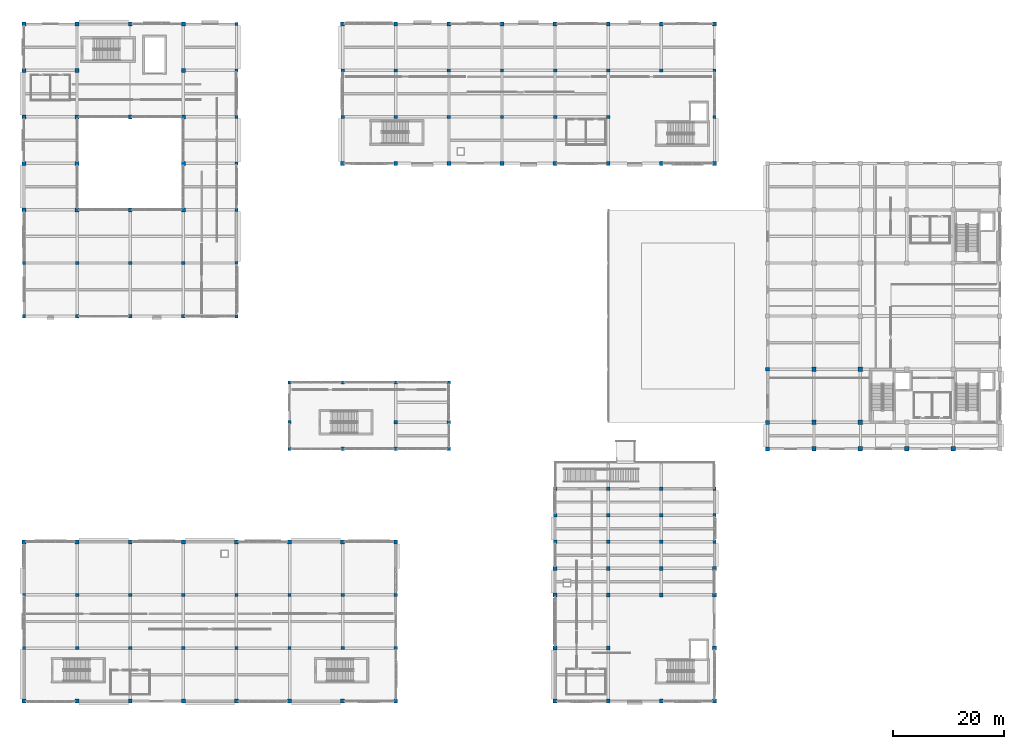
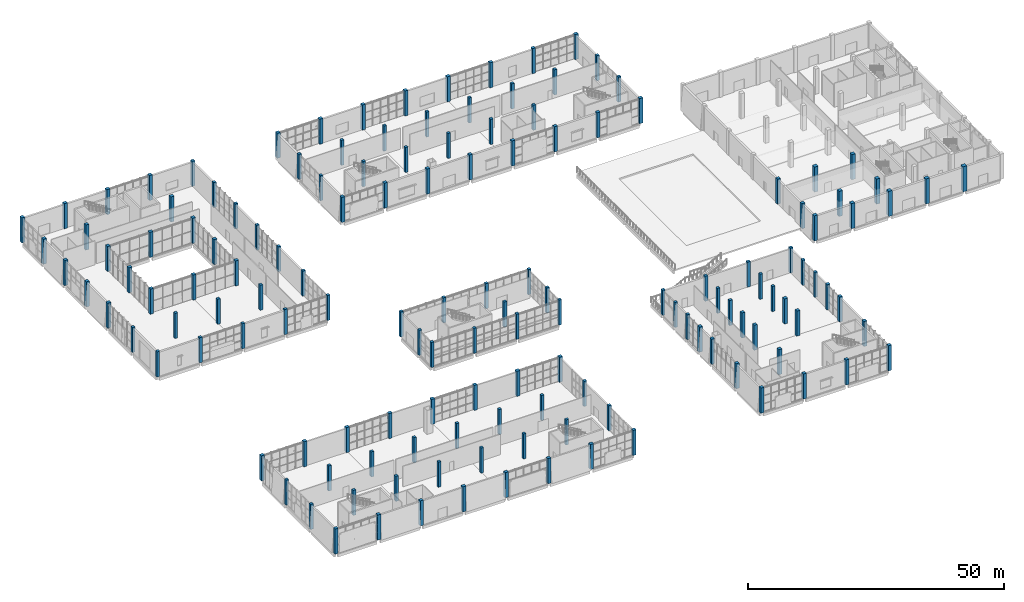
# One storey, part 1 of 84: 145 columns.
"""IFC4 building model written with IfcOpenShell, lengths in metres."""

from ifc_helpers import new_model, si_unit, direction, frame, origin, origin_2d, place, context, subcontext, project, spatial, rectangle, extrude, material, material_profile, profile_set, type_object, element, save


model = new_model("IFC4")

# Units and contexts
model_context = context("Model", 3, precision=1e-05, world=origin(), true_north=direction((0.0, 1.0)))
body_context = subcontext(model_context, "Body", "Model", "MODEL_VIEW")
ifc_project = project(units=[si_unit("LENGTHUNIT", "METRE"), si_unit("AREAUNIT", "SQUARE_METRE"), si_unit("VOLUMEUNIT", "CUBIC_METRE"), si_unit("PLANEANGLEUNIT", "RADIAN"), si_unit("MASSUNIT", "GRAM", prefix="KILO")], contexts=[model_context])

# Site, building, storey
site_placement = place(None, origin())
site = spatial("IfcSite", under=ifc_project, at=site_placement, CompositionType="ELEMENT")
building_placement = place(site_placement, origin())
building = spatial("IfcBuilding", under=site, at=building_placement, Name="Shalvenor Court Art Gallery", CompositionType="ELEMENT")
storey_placement = place(building_placement, origin())
storey = spatial("IfcBuildingStorey", under=building, at=storey_placement, Name="L00", CompositionType="ELEMENT", Elevation=0.0)

# Columns
ifc_material_1 = material(Name="Concrete C40/50", Category="concrete")
ifc_material_profile_1 = material_profile(ifc_material_1, rectangle(XDim=0.800048828125, YDim=0.800048828125, at=origin_2d()), Name="RC 800x800")
ifc_profile_set_1 = profile_set([ifc_material_profile_1], Name="Concrete C40/50")
column_type_1 = type_object("IfcColumnType", Name="C-01", PredefinedType="COLUMN", material=ifc_profile_set_1)
for number, where, z_axis, x_axis, name in (
    (1, (142.800048828125, 45.60009765625, 0.0), (0.0, 0.0, 1.0), (1.0, 0.0, 0.0), "L00 Column COL-L00-C-01-0552"),
    (2, (142.800048828125, 50.39990234375, 0.0), (0.0, 0.0, 1.0), (1.0, 0.0, 0.0), "L00 Column COL-L00-C-01-0558"),
    (3, (142.800048828125, 60.0, 0.0), (0.0, 0.0, 1.0), (1.0, 0.0, 0.0), "L00 Column COL-L00-C-01-0564"),
    (4, (151.199951171875, 45.60009765625, 0.0), (0.0, 0.0, 1.0), (1.0, 0.0, 0.0), "L00 Column COL-L00-C-01-0594"),
    (5, (151.199951171875, 50.39990234375, 0.0), (0.0, 0.0, 1.0), (1.0, 0.0, 0.0), "L00 Column COL-L00-C-01-0600"),
    (6, (151.199951171875, 60.0, 0.0), (0.0, 0.0, 1.0), (1.0, 0.0, 0.0), "L00 Column COL-L00-C-01-0606"),
    (7, (159.60009765625, 45.60009765625, 0.0), (0.0, 0.0, 1.0), (1.0, 0.0, 0.0), "L00 Column COL-L00-C-01-0636"),
    (8, (168.0, 45.60009765625, 0.0), (0.0, 0.0, 1.0), (1.0, 0.0, 0.0), "L00 Column COL-L00-C-01-0678"),
):
    element("IfcColumn", number, at=place(storey_placement, frame(where, z_axis=z_axis, x_axis=x_axis)), inside=storey, type_object=column_type_1, Name=name, PredefinedType="COLUMN", context=body_context, shape_type="SweptSolid", body=[
        extrude(rectangle(XDim=0.800048828125, YDim=0.800048828125, at=origin_2d()), origin(), (0.0, 0.0, 1.0), 6.0),
    ])
ifc_material_2 = material(Name="Concrete C40/50", Category="concrete")
ifc_material_profile_2 = material_profile(ifc_material_2, rectangle(XDim=0.699951171875, YDim=0.699951171875, at=origin_2d()), Name="RC 700x700")
ifc_profile_set_2 = profile_set([ifc_material_profile_2], Name="Concrete C40/50")
column_type_2 = type_object("IfcColumnType", Name="C-02", PredefinedType="COLUMN", material=ifc_profile_set_2)
for number, where, z_axis, x_axis, name in (
    (9, (9.60009765625, 88.800048828125, 0.0), (0.0, 0.0, 1.0), (1.0, 0.0, 0.0), "L00 Column COL-L00-C-02-0063"),
    (10, (9.60009765625, 97.199951171875, 0.0), (0.0, 0.0, 1.0), (1.0, 0.0, 0.0), "L00 Column COL-L00-C-02-0067"),
    (11, (9.60009765625, 105.60009765625, 0.0), (0.0, 0.0, 1.0), (1.0, 0.0, 0.0), "L00 Column COL-L00-C-02-0071"),
    (12, (9.60009765625, 114.0, 0.0), (0.0, 0.0, 1.0), (1.0, 0.0, 0.0), "L00 Column COL-L00-C-02-0076"),
    (13, (19.199951171875, 88.800048828125, 0.0), (0.0, 0.0, 1.0), (1.0, 0.0, 0.0), "L00 Column COL-L00-C-02-0105"),
    (14, (19.199951171875, 105.60009765625, 0.0), (0.0, 0.0, 1.0), (1.0, 0.0, 0.0), "L00 Column COL-L00-C-02-0109"),
    (15, (28.800048828125, 88.800048828125, 0.0), (0.0, 0.0, 1.0), (1.0, 0.0, 0.0), "L00 Column COL-L00-C-02-0138"),
    (16, (28.800048828125, 97.199951171875, 0.0), (0.0, 0.0, 1.0), (1.0, 0.0, 0.0), "L00 Column COL-L00-C-02-0142"),
    (17, (28.800048828125, 105.60009765625, 0.0), (0.0, 0.0, 1.0), (1.0, 0.0, 0.0), "L00 Column COL-L00-C-02-0146"),
    (18, (28.800048828125, 114.0, 0.0), (0.0, 0.0, 1.0), (1.0, 0.0, 0.0), "L00 Column COL-L00-C-02-0151"),
    (19, (105.60009765625, 9.60009765625, 0.0), (0.0, 0.0, 1.0), (1.0, 0.0, 0.0), "L00 Column COL-L00-C-02-0396"),
    (20, (105.60009765625, 19.199951171875, 0.0), (0.0, 0.0, 1.0), (1.0, 0.0, 0.0), "L00 Column COL-L00-C-02-0402"),
    (21, (105.60009765625, 24.0, 0.0), (0.0, 0.0, 1.0), (1.0, 0.0, 0.0), "L00 Column COL-L00-C-02-0408"),
    (22, (115.199951171875, 19.199951171875, 0.0), (0.0, 0.0, 1.0), (1.0, 0.0, 0.0), "L00 Column COL-L00-C-02-0452"),
    (23, (115.199951171875, 24.0, 0.0), (0.0, 0.0, 1.0), (1.0, 0.0, 0.0), "L00 Column COL-L00-C-02-0458"),
):
    element("IfcColumn", number, at=place(storey_placement, frame(where, z_axis=z_axis, x_axis=x_axis)), inside=storey, type_object=column_type_2, Name=name, PredefinedType="COLUMN", context=body_context, shape_type="SweptSolid", body=[
        extrude(rectangle(XDim=0.699951171875, YDim=0.699951171875, at=origin_2d()), origin(), (0.0, 0.0, 1.0), 6.0),
    ])
ifc_material_3 = material(Name="Concrete C40/50", Category="concrete")
ifc_material_profile_3 = material_profile(ifc_material_3, rectangle(XDim=0.699951171875, YDim=0.699951171875, at=origin_2d()), Name="RC 700x700")
ifc_profile_set_3 = profile_set([ifc_material_profile_3], Name="Concrete C40/50")
column_type_3 = type_object("IfcColumnType", Name="C-02E", PredefinedType="COLUMN", material=ifc_profile_set_3)
for number, where, z_axis, x_axis, name in (
    (24, (0.0, 0.0, 0.0), (0.0, 0.0, 1.0), (1.0, 0.0, 0.0), "L00 Column COL-L00-C-02E-0002"),
    (25, (0.0, 28.800048828125, 0.0), (0.0, 0.0, 1.0), (1.0, 0.0, 0.0), "L00 Column COL-L00-C-02E-0012"),
    (26, (0.0, 88.800048828125, 0.0), (0.0, 0.0, 1.0), (1.0, 0.0, 0.0), "L00 Column COL-L00-C-02E-0021"),
    (27, (0.0, 97.199951171875, 0.0), (0.0, 0.0, 1.0), (1.0, 0.0, 0.0), "L00 Column COL-L00-C-02E-0025"),
    (28, (0.0, 105.60009765625, 0.0), (0.0, 0.0, 1.0), (1.0, 0.0, 0.0), "L00 Column COL-L00-C-02E-0029"),
    (29, (0.0, 114.0, 0.0), (0.0, 0.0, 1.0), (1.0, 0.0, 0.0), "L00 Column COL-L00-C-02E-0034"),
    (30, (0.0, 122.39990234375, 0.0), (0.0, 0.0, 1.0), (1.0, 0.0, 0.0), "L00 Column COL-L00-C-02E-0039"),
    (31, (9.60009765625, 0.0, 0.0), (0.0, 0.0, 1.0), (1.0, 0.0, 0.0), "L00 Column COL-L00-C-02E-0044"),
    (32, (9.60009765625, 28.800048828125, 0.0), (0.0, 0.0, 1.0), (1.0, 0.0, 0.0), "L00 Column COL-L00-C-02E-0054"),
    (33, (9.60009765625, 122.39990234375, 0.0), (0.0, 0.0, 1.0), (1.0, 0.0, 0.0), "L00 Column COL-L00-C-02E-0081"),
    (34, (19.199951171875, 0.0, 0.0), (0.0, 0.0, 1.0), (1.0, 0.0, 0.0), "L00 Column COL-L00-C-02E-0086"),
    (35, (19.199951171875, 28.800048828125, 0.0), (0.0, 0.0, 1.0), (1.0, 0.0, 0.0), "L00 Column COL-L00-C-02E-0096"),
    (36, (19.199951171875, 122.39990234375, 0.0), (0.0, 0.0, 1.0), (1.0, 0.0, 0.0), "L00 Column COL-L00-C-02E-0114"),
    (37, (28.800048828125, 0.0, 0.0), (0.0, 0.0, 1.0), (1.0, 0.0, 0.0), "L00 Column COL-L00-C-02E-0119"),
    (38, (28.800048828125, 28.800048828125, 0.0), (0.0, 0.0, 1.0), (1.0, 0.0, 0.0), "L00 Column COL-L00-C-02E-0129"),
    (39, (28.800048828125, 122.39990234375, 0.0), (0.0, 0.0, 1.0), (1.0, 0.0, 0.0), "L00 Column COL-L00-C-02E-0156"),
    (40, (38.39990234375, 0.0, 0.0), (0.0, 0.0, 1.0), (1.0, 0.0, 0.0), "L00 Column COL-L00-C-02E-0161"),
    (41, (38.39990234375, 28.800048828125, 0.0), (0.0, 0.0, 1.0), (1.0, 0.0, 0.0), "L00 Column COL-L00-C-02E-0171"),
    (42, (48.0, 0.0, 0.0), (0.0, 0.0, 1.0), (1.0, 0.0, 0.0), "L00 Column COL-L00-C-02E-0195"),
    (43, (48.0, 28.800048828125, 0.0), (0.0, 0.0, 1.0), (1.0, 0.0, 0.0), "L00 Column COL-L00-C-02E-0205"),
    (44, (57.60009765625, 0.0, 0.0), (0.0, 0.0, 1.0), (1.0, 0.0, 0.0), "L00 Column COL-L00-C-02E-0218"),
    (45, (57.60009765625, 28.800048828125, 0.0), (0.0, 0.0, 1.0), (1.0, 0.0, 0.0), "L00 Column COL-L00-C-02E-0228"),
    (46, (57.60009765625, 97.199951171875, 0.0), (0.0, 0.0, 1.0), (1.0, 0.0, 0.0), "L00 Column COL-L00-C-02E-0238"),
    (47, (57.60009765625, 122.39990234375, 0.0), (0.0, 0.0, 1.0), (1.0, 0.0, 0.0), "L00 Column COL-L00-C-02E-0251"),
    (48, (67.199951171875, 0.0, 0.0), (0.0, 0.0, 1.0), (1.0, 0.0, 0.0), "L00 Column COL-L00-C-02E-0256"),
    (49, (67.199951171875, 28.800048828125, 0.0), (0.0, 0.0, 1.0), (1.0, 0.0, 0.0), "L00 Column COL-L00-C-02E-0266"),
    (50, (67.199951171875, 97.199951171875, 0.0), (0.0, 0.0, 1.0), (1.0, 0.0, 0.0), "L00 Column COL-L00-C-02E-0279"),
    (51, (67.199951171875, 122.39990234375, 0.0), (0.0, 0.0, 1.0), (1.0, 0.0, 0.0), "L00 Column COL-L00-C-02E-0292"),
    (52, (76.800048828125, 97.199951171875, 0.0), (0.0, 0.0, 1.0), (1.0, 0.0, 0.0), "L00 Column COL-L00-C-02E-0303"),
    (53, (76.800048828125, 122.39990234375, 0.0), (0.0, 0.0, 1.0), (1.0, 0.0, 0.0), "L00 Column COL-L00-C-02E-0316"),
    (54, (86.39990234375, 97.199951171875, 0.0), (0.0, 0.0, 1.0), (1.0, 0.0, 0.0), "L00 Column COL-L00-C-02E-0321"),
    (55, (86.39990234375, 122.39990234375, 0.0), (0.0, 0.0, 1.0), (1.0, 0.0, 0.0), "L00 Column COL-L00-C-02E-0334"),
    (56, (96.0, 0.0, 0.0), (0.0, 0.0, 1.0), (1.0, 0.0, 0.0), "L00 Column COL-L00-C-02E-0339"),
    (57, (96.0, 9.60009765625, 0.0), (0.0, 0.0, 1.0), (1.0, 0.0, 0.0), "L00 Column COL-L00-C-02E-0345"),
    (58, (96.0, 19.199951171875, 0.0), (0.0, 0.0, 1.0), (1.0, 0.0, 0.0), "L00 Column COL-L00-C-02E-0351"),
    (59, (96.0, 24.0, 0.0), (0.0, 0.0, 1.0), (1.0, 0.0, 0.0), "L00 Column COL-L00-C-02E-0357"),
    (60, (96.0, 97.199951171875, 0.0), (0.0, 0.0, 1.0), (1.0, 0.0, 0.0), "L00 Column COL-L00-C-02E-0372"),
    (61, (96.0, 122.39990234375, 0.0), (0.0, 0.0, 1.0), (1.0, 0.0, 0.0), "L00 Column COL-L00-C-02E-0385"),
    (62, (105.60009765625, 0.0, 0.0), (0.0, 0.0, 1.0), (1.0, 0.0, 0.0), "L00 Column COL-L00-C-02E-0390"),
    (63, (105.60009765625, 97.199951171875, 0.0), (0.0, 0.0, 1.0), (1.0, 0.0, 0.0), "L00 Column COL-L00-C-02E-0428"),
    (64, (105.60009765625, 122.39990234375, 0.0), (0.0, 0.0, 1.0), (1.0, 0.0, 0.0), "L00 Column COL-L00-C-02E-0441"),
    (65, (115.199951171875, 0.0, 0.0), (0.0, 0.0, 1.0), (1.0, 0.0, 0.0), "L00 Column COL-L00-C-02E-0446"),
    (66, (115.199951171875, 97.199951171875, 0.0), (0.0, 0.0, 1.0), (1.0, 0.0, 0.0), "L00 Column COL-L00-C-02E-0473"),
    (67, (115.199951171875, 122.39990234375, 0.0), (0.0, 0.0, 1.0), (1.0, 0.0, 0.0), "L00 Column COL-L00-C-02E-0482"),
    (68, (124.800048828125, 0.0, 0.0), (0.0, 0.0, 1.0), (1.0, 0.0, 0.0), "L00 Column COL-L00-C-02E-0487"),
    (69, (124.800048828125, 9.60009765625, 0.0), (0.0, 0.0, 1.0), (1.0, 0.0, 0.0), "L00 Column COL-L00-C-02E-0493"),
    (70, (124.800048828125, 19.199951171875, 0.0), (0.0, 0.0, 1.0), (1.0, 0.0, 0.0), "L00 Column COL-L00-C-02E-0499"),
    (71, (124.800048828125, 24.0, 0.0), (0.0, 0.0, 1.0), (1.0, 0.0, 0.0), "L00 Column COL-L00-C-02E-0505"),
    (72, (124.800048828125, 97.199951171875, 0.0), (0.0, 0.0, 1.0), (1.0, 0.0, 0.0), "L00 Column COL-L00-C-02E-0520"),
    (73, (124.800048828125, 122.39990234375, 0.0), (0.0, 0.0, 1.0), (1.0, 0.0, 0.0), "L00 Column COL-L00-C-02E-0533"),
    (74, (134.39990234375, 45.60009765625, 0.0), (0.0, 0.0, 1.0), (1.0, 0.0, 0.0), "L00 Column COL-L00-C-02E-0538"),
    (75, (134.39990234375, 50.39990234375, 0.0), (0.0, 0.0, 1.0), (1.0, 0.0, 0.0), "L00 Column COL-L00-C-02E-0540"),
    (76, (134.39990234375, 60.0, 0.0), (0.0, 0.0, 1.0), (1.0, 0.0, 0.0), "L00 Column COL-L00-C-02E-0542"),
):
    element("IfcColumn", number, at=place(storey_placement, frame(where, z_axis=z_axis, x_axis=x_axis)), inside=storey, type_object=column_type_3, Name=name, PredefinedType="COLUMN", context=body_context, shape_type="SweptSolid", body=[
        extrude(rectangle(XDim=0.699951171875, YDim=0.699951171875, at=origin_2d()), origin(), (0.0, 0.0, 1.0), 6.0),
    ])
ifc_material_4 = material(Name="Concrete C40/50", Category="concrete")
ifc_material_profile_4 = material_profile(ifc_material_4, rectangle(XDim=0.60009765625, YDim=0.60009765625, at=origin_2d()), Name="RC 600x600")
ifc_profile_set_4 = profile_set([ifc_material_profile_4], Name="Concrete C40/50")
column_type_4 = type_object("IfcColumnType", Name="C-03", PredefinedType="COLUMN", material=ifc_profile_set_4)
for number, where, z_axis, x_axis, name in (
    (77, (9.60009765625, 9.60009765625, 0.0), (0.0, 0.0, 1.0), (1.0, 0.0, 0.0), "L00 Column COL-L00-C-03-0048"),
    (78, (9.60009765625, 19.199951171875, 0.0), (0.0, 0.0, 1.0), (1.0, 0.0, 0.0), "L00 Column COL-L00-C-03-0051"),
    (79, (9.60009765625, 79.199951171875, 0.0), (0.0, 0.0, 1.0), (1.0, 0.0, 0.0), "L00 Column COL-L00-C-03-0060"),
    (80, (19.199951171875, 9.60009765625, 0.0), (0.0, 0.0, 1.0), (1.0, 0.0, 0.0), "L00 Column COL-L00-C-03-0090"),
    (81, (19.199951171875, 19.199951171875, 0.0), (0.0, 0.0, 1.0), (1.0, 0.0, 0.0), "L00 Column COL-L00-C-03-0093"),
    (82, (19.199951171875, 79.199951171875, 0.0), (0.0, 0.0, 1.0), (1.0, 0.0, 0.0), "L00 Column COL-L00-C-03-0102"),
    (83, (28.800048828125, 9.60009765625, 0.0), (0.0, 0.0, 1.0), (1.0, 0.0, 0.0), "L00 Column COL-L00-C-03-0123"),
    (84, (28.800048828125, 19.199951171875, 0.0), (0.0, 0.0, 1.0), (1.0, 0.0, 0.0), "L00 Column COL-L00-C-03-0126"),
    (85, (28.800048828125, 79.199951171875, 0.0), (0.0, 0.0, 1.0), (1.0, 0.0, 0.0), "L00 Column COL-L00-C-03-0135"),
    (86, (38.39990234375, 9.60009765625, 0.0), (0.0, 0.0, 1.0), (1.0, 0.0, 0.0), "L00 Column COL-L00-C-03-0165"),
    (87, (38.39990234375, 19.199951171875, 0.0), (0.0, 0.0, 1.0), (1.0, 0.0, 0.0), "L00 Column COL-L00-C-03-0168"),
    (88, (48.0, 9.60009765625, 0.0), (0.0, 0.0, 1.0), (1.0, 0.0, 0.0), "L00 Column COL-L00-C-03-0199"),
    (89, (48.0, 19.199951171875, 0.0), (0.0, 0.0, 1.0), (1.0, 0.0, 0.0), "L00 Column COL-L00-C-03-0202"),
    (90, (57.60009765625, 9.60009765625, 0.0), (0.0, 0.0, 1.0), (1.0, 0.0, 0.0), "L00 Column COL-L00-C-03-0222"),
    (91, (57.60009765625, 19.199951171875, 0.0), (0.0, 0.0, 1.0), (1.0, 0.0, 0.0), "L00 Column COL-L00-C-03-0225"),
    (92, (67.199951171875, 105.60009765625, 0.0), (0.0, 0.0, 1.0), (1.0, 0.0, 0.0), "L00 Column COL-L00-C-03-0284"),
    (93, (67.199951171875, 114.0, 0.0), (0.0, 0.0, 1.0), (1.0, 0.0, 0.0), "L00 Column COL-L00-C-03-0288"),
    (94, (76.800048828125, 105.60009765625, 0.0), (0.0, 0.0, 1.0), (1.0, 0.0, 0.0), "L00 Column COL-L00-C-03-0308"),
    (95, (76.800048828125, 114.0, 0.0), (0.0, 0.0, 1.0), (1.0, 0.0, 0.0), "L00 Column COL-L00-C-03-0312"),
    (96, (86.39990234375, 105.60009765625, 0.0), (0.0, 0.0, 1.0), (1.0, 0.0, 0.0), "L00 Column COL-L00-C-03-0326"),
    (97, (86.39990234375, 114.0, 0.0), (0.0, 0.0, 1.0), (1.0, 0.0, 0.0), "L00 Column COL-L00-C-03-0330"),
    (98, (96.0, 105.60009765625, 0.0), (0.0, 0.0, 1.0), (1.0, 0.0, 0.0), "L00 Column COL-L00-C-03-0377"),
    (99, (96.0, 114.0, 0.0), (0.0, 0.0, 1.0), (1.0, 0.0, 0.0), "L00 Column COL-L00-C-03-0381"),
    (100, (105.60009765625, 28.800048828125, 0.0), (0.0, 0.0, 1.0), (1.0, 0.0, 0.0), "L00 Column COL-L00-C-03-0413"),
    (101, (105.60009765625, 33.60009765625, 0.0), (0.0, 0.0, 1.0), (1.0, 0.0, 0.0), "L00 Column COL-L00-C-03-0417"),
    (102, (105.60009765625, 38.39990234375, 0.0), (0.0, 0.0, 1.0), (1.0, 0.0, 0.0), "L00 Column COL-L00-C-03-0420"),
    (103, (105.60009765625, 105.60009765625, 0.0), (0.0, 0.0, 1.0), (1.0, 0.0, 0.0), "L00 Column COL-L00-C-03-0433"),
    (104, (105.60009765625, 114.0, 0.0), (0.0, 0.0, 1.0), (1.0, 0.0, 0.0), "L00 Column COL-L00-C-03-0437"),
    (105, (115.199951171875, 28.800048828125, 0.0), (0.0, 0.0, 1.0), (1.0, 0.0, 0.0), "L00 Column COL-L00-C-03-0463"),
    (106, (115.199951171875, 33.60009765625, 0.0), (0.0, 0.0, 1.0), (1.0, 0.0, 0.0), "L00 Column COL-L00-C-03-0467"),
    (107, (115.199951171875, 38.39990234375, 0.0), (0.0, 0.0, 1.0), (1.0, 0.0, 0.0), "L00 Column COL-L00-C-03-0470"),
    (108, (115.199951171875, 114.0, 0.0), (0.0, 0.0, 1.0), (1.0, 0.0, 0.0), "L00 Column COL-L00-C-03-0478"),
):
    element("IfcColumn", number, at=place(storey_placement, frame(where, z_axis=z_axis, x_axis=x_axis)), inside=storey, type_object=column_type_4, Name=name, PredefinedType="COLUMN", context=body_context, shape_type="SweptSolid", body=[
        extrude(rectangle(XDim=0.60009765625, YDim=0.60009765625, at=origin_2d()), origin(), (0.0, 0.0, 1.0), 6.0),
    ])
ifc_material_5 = material(Name="Concrete C40/50", Category="concrete")
ifc_material_profile_5 = material_profile(ifc_material_5, rectangle(XDim=0.60009765625, YDim=0.60009765625, at=origin_2d()), Name="RC 600x600")
ifc_profile_set_5 = profile_set([ifc_material_profile_5], Name="Concrete C40/50")
column_type_5 = type_object("IfcColumnType", Name="C-03E", PredefinedType="COLUMN", material=ifc_profile_set_5)
for number, where, z_axis, x_axis, name in (
    (109, (0.0, 9.60009765625, 0.0), (0.0, 0.0, 1.0), (1.0, 0.0, 0.0), "L00 Column COL-L00-C-03E-0006"),
    (110, (0.0, 19.199951171875, 0.0), (0.0, 0.0, 1.0), (1.0, 0.0, 0.0), "L00 Column COL-L00-C-03E-0009"),
    (111, (0.0, 69.60009765625, 0.0), (0.0, 0.0, 1.0), (1.0, 0.0, 0.0), "L00 Column COL-L00-C-03E-0016"),
    (112, (0.0, 79.199951171875, 0.0), (0.0, 0.0, 1.0), (1.0, 0.0, 0.0), "L00 Column COL-L00-C-03E-0018"),
    (113, (9.60009765625, 69.60009765625, 0.0), (0.0, 0.0, 1.0), (1.0, 0.0, 0.0), "L00 Column COL-L00-C-03E-0058"),
    (114, (19.199951171875, 69.60009765625, 0.0), (0.0, 0.0, 1.0), (1.0, 0.0, 0.0), "L00 Column COL-L00-C-03E-0100"),
    (115, (28.800048828125, 69.60009765625, 0.0), (0.0, 0.0, 1.0), (1.0, 0.0, 0.0), "L00 Column COL-L00-C-03E-0133"),
    (116, (38.39990234375, 69.60009765625, 0.0), (0.0, 0.0, 1.0), (1.0, 0.0, 0.0), "L00 Column COL-L00-C-03E-0175"),
    (117, (38.39990234375, 79.199951171875, 0.0), (0.0, 0.0, 1.0), (1.0, 0.0, 0.0), "L00 Column COL-L00-C-03E-0177"),
    (118, (38.39990234375, 88.800048828125, 0.0), (0.0, 0.0, 1.0), (1.0, 0.0, 0.0), "L00 Column COL-L00-C-03E-0180"),
    (119, (38.39990234375, 97.199951171875, 0.0), (0.0, 0.0, 1.0), (1.0, 0.0, 0.0), "L00 Column COL-L00-C-03E-0183"),
    (120, (38.39990234375, 105.60009765625, 0.0), (0.0, 0.0, 1.0), (1.0, 0.0, 0.0), "L00 Column COL-L00-C-03E-0186"),
    (121, (38.39990234375, 114.0, 0.0), (0.0, 0.0, 1.0), (1.0, 0.0, 0.0), "L00 Column COL-L00-C-03E-0189"),
    (122, (38.39990234375, 122.39990234375, 0.0), (0.0, 0.0, 1.0), (1.0, 0.0, 0.0), "L00 Column COL-L00-C-03E-0192"),
    (123, (48.0, 45.60009765625, 0.0), (0.0, 0.0, 1.0), (1.0, 0.0, 0.0), "L00 Column COL-L00-C-03E-0209"),
    (124, (48.0, 50.39990234375, 0.0), (0.0, 0.0, 1.0), (1.0, 0.0, 0.0), "L00 Column COL-L00-C-03E-0212"),
    (125, (48.0, 57.60009765625, 0.0), (0.0, 0.0, 1.0), (1.0, 0.0, 0.0), "L00 Column COL-L00-C-03E-0215"),
    (126, (57.60009765625, 45.60009765625, 0.0), (0.0, 0.0, 1.0), (1.0, 0.0, 0.0), "L00 Column COL-L00-C-03E-0232"),
    (127, (57.60009765625, 57.60009765625, 0.0), (0.0, 0.0, 1.0), (1.0, 0.0, 0.0), "L00 Column COL-L00-C-03E-0235"),
    (128, (57.60009765625, 105.60009765625, 0.0), (0.0, 0.0, 1.0), (1.0, 0.0, 0.0), "L00 Column COL-L00-C-03E-0243"),
    (129, (57.60009765625, 114.0, 0.0), (0.0, 0.0, 1.0), (1.0, 0.0, 0.0), "L00 Column COL-L00-C-03E-0247"),
    (130, (67.199951171875, 9.60009765625, 0.0), (0.0, 0.0, 1.0), (1.0, 0.0, 0.0), "L00 Column COL-L00-C-03E-0260"),
    (131, (67.199951171875, 19.199951171875, 0.0), (0.0, 0.0, 1.0), (1.0, 0.0, 0.0), "L00 Column COL-L00-C-03E-0263"),
    (132, (67.199951171875, 45.60009765625, 0.0), (0.0, 0.0, 1.0), (1.0, 0.0, 0.0), "L00 Column COL-L00-C-03E-0270"),
    (133, (67.199951171875, 50.39990234375, 0.0), (0.0, 0.0, 1.0), (1.0, 0.0, 0.0), "L00 Column COL-L00-C-03E-0273"),
    (134, (67.199951171875, 57.60009765625, 0.0), (0.0, 0.0, 1.0), (1.0, 0.0, 0.0), "L00 Column COL-L00-C-03E-0276"),
    (135, (76.800048828125, 45.60009765625, 0.0), (0.0, 0.0, 1.0), (1.0, 0.0, 0.0), "L00 Column COL-L00-C-03E-0297"),
    (136, (76.800048828125, 50.39990234375, 0.0), (0.0, 0.0, 1.0), (1.0, 0.0, 0.0), "L00 Column COL-L00-C-03E-0299"),
    (137, (76.800048828125, 57.60009765625, 0.0), (0.0, 0.0, 1.0), (1.0, 0.0, 0.0), "L00 Column COL-L00-C-03E-0301"),
    (138, (96.0, 28.800048828125, 0.0), (0.0, 0.0, 1.0), (1.0, 0.0, 0.0), "L00 Column COL-L00-C-03E-0362"),
    (139, (96.0, 33.60009765625, 0.0), (0.0, 0.0, 1.0), (1.0, 0.0, 0.0), "L00 Column COL-L00-C-03E-0366"),
    (140, (96.0, 38.39990234375, 0.0), (0.0, 0.0, 1.0), (1.0, 0.0, 0.0), "L00 Column COL-L00-C-03E-0369"),
    (141, (124.800048828125, 28.800048828125, 0.0), (0.0, 0.0, 1.0), (1.0, 0.0, 0.0), "L00 Column COL-L00-C-03E-0510"),
    (142, (124.800048828125, 33.60009765625, 0.0), (0.0, 0.0, 1.0), (1.0, 0.0, 0.0), "L00 Column COL-L00-C-03E-0514"),
    (143, (124.800048828125, 38.39990234375, 0.0), (0.0, 0.0, 1.0), (1.0, 0.0, 0.0), "L00 Column COL-L00-C-03E-0517"),
    (144, (124.800048828125, 105.60009765625, 0.0), (0.0, 0.0, 1.0), (1.0, 0.0, 0.0), "L00 Column COL-L00-C-03E-0525"),
    (145, (124.800048828125, 114.0, 0.0), (0.0, 0.0, 1.0), (1.0, 0.0, 0.0), "L00 Column COL-L00-C-03E-0529"),
):
    element("IfcColumn", number, at=place(storey_placement, frame(where, z_axis=z_axis, x_axis=x_axis)), inside=storey, type_object=column_type_5, Name=name, PredefinedType="COLUMN", context=body_context, shape_type="SweptSolid", body=[
        extrude(rectangle(XDim=0.60009765625, YDim=0.60009765625, at=origin_2d()), origin(), (0.0, 0.0, 1.0), 6.0),
    ])

save(model, "model.ifc")
